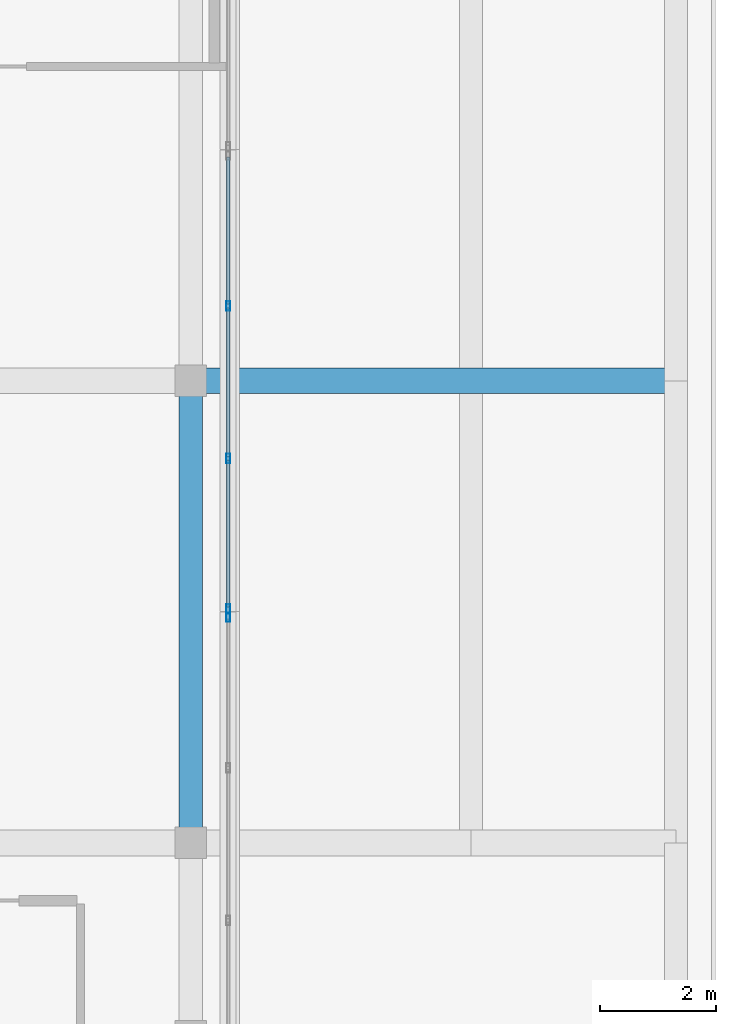
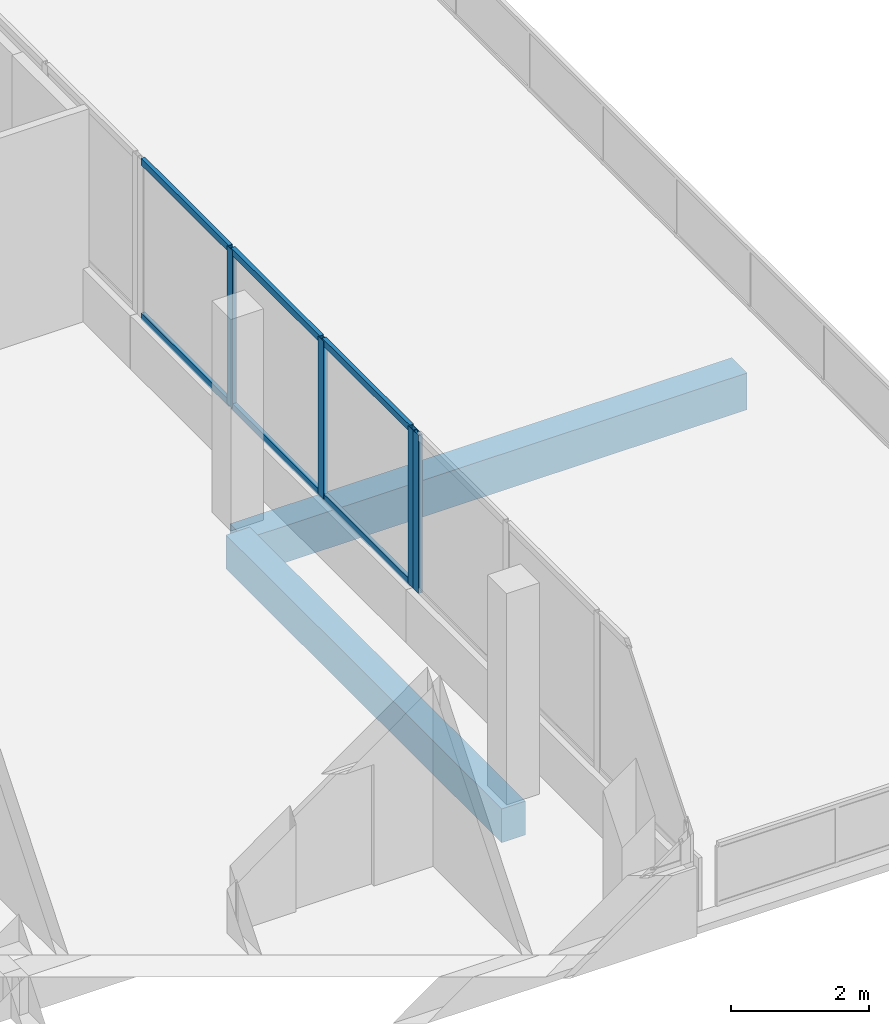
# One storey, part 46 of 67: 10 members, 2 beams, 2 elements without a shape of their own.
"""IFC4 building model written with IfcOpenShell, lengths in metres."""

from ifc_helpers import new_model, si_unit, direction, frame, origin, origin_2d, place, context, subcontext, project, spatial, rectangle, hollow_rectangle, extrude, material, material_profile, profile_set, type_object, element, aggregate, save


model = new_model("IFC4")

# Units and contexts
model_context = context("Model", 3, precision=1e-05, world=origin(), true_north=direction((0.0, 1.0)))
body_context = subcontext(model_context, "Body", "Model", "MODEL_VIEW")
ifc_project = project(units=[si_unit("LENGTHUNIT", "METRE"), si_unit("AREAUNIT", "SQUARE_METRE"), si_unit("VOLUMEUNIT", "CUBIC_METRE"), si_unit("PLANEANGLEUNIT", "RADIAN"), si_unit("MASSUNIT", "GRAM", prefix="KILO")], contexts=[model_context])

# Site, building, storey
site_placement = place(None, origin())
site = spatial("IfcSite", under=ifc_project, at=site_placement, CompositionType="ELEMENT")
building_placement = place(site_placement, origin())
building = spatial("IfcBuilding", under=site, at=building_placement, Name="Selatvlak General Hospital", CompositionType="ELEMENT")
storey_placement = place(building_placement, frame((0.0, 0.0, 35.39990234375)))
storey = spatial("IfcBuildingStorey", under=building, at=storey_placement, Name="L08", CompositionType="ELEMENT", Elevation=35.39990234375)

# Beams
ifc_material_1 = material(Name="Concrete C40/50", Category="concrete")
ifc_material_profile_1 = material_profile(ifc_material_1, rectangle(XDim=0.449951171875, YDim=0.64990234375, at=origin_2d()), Name="RC-BM 450x650")
ifc_profile_set_1 = profile_set([ifc_material_profile_1], Name="Concrete C40/50")
beam_type_1 = type_object("IfcBeamType", Name="BM-G04", PredefinedType="BEAM", material=ifc_profile_set_1)
beam_1_placement = place(storey_placement, frame((156.550048828125, 100.0, -0.596923828125), z_axis=(1.0, 0.0, 0.0), x_axis=(0.0, 1.0, 0.0)))
element("IfcBeam", 1, at=beam_1_placement, inside=storey, type_object=beam_type_1, Name="Beam BMR-L08-2602", PredefinedType="BEAM", context=body_context, shape_type="SweptSolid", body=[
    extrude(rectangle(XDim=0.449951171875, YDim=0.64990234375, at=origin_2d()), origin(), (0.0, 0.0, 1.0), 8.39990234375),
])
ifc_material_profile_2 = material_profile(ifc_material_1, rectangle(XDim=0.39990234375, YDim=0.60009765625, at=origin_2d()), Name="RC-BM 400x600")
ifc_profile_set_2 = profile_set([ifc_material_profile_2], Name="Concrete C40/50")
beam_type_2 = type_object("IfcBeamType", Name="BM-G05", PredefinedType="BEAM", material=ifc_profile_set_2)
beam_2_placement = place(storey_placement, frame((156.550048828125, 92.0, -0.56494140625), z_axis=(0.0, 1.0, 0.0), x_axis=(-1.0, 0.0, 0.0)))
element("IfcBeam", 2, at=beam_2_placement, inside=storey, type_object=beam_type_2, Name="Beam BMR-L08-2707", PredefinedType="BEAM", context=body_context, shape_type="SweptSolid", body=[
    extrude(rectangle(XDim=0.39990234375, YDim=0.60009765625, at=origin_2d()), origin(), (0.0, 0.0, 1.0), 8.0),
])

# Curtain wall, members
ifc_material_2 = material(Name="Solar-control Low-E double glazing", Category="glass")
curtain_wall_type_1 = type_object("IfcCurtainWallType", Name="CW-CW-02", PredefinedType="USERDEFINED", material=ifc_material_2)
curtain_wall_1_placement = place(storey_placement, origin())
curtain_wall_1 = element("IfcCurtainWall", 3, at=curtain_wall_1_placement, inside=storey, type_object=curtain_wall_type_1, Name="Glazed facade curtain wall CW-L08-0699", ObjectType="UNITISED CURTAIN WALL", PredefinedType="USERDEFINED")
ifc_material_3 = material(Name="Dark anodised aluminium mullion", Category="aluminium")
ifc_material_profile_3 = material_profile(ifc_material_3, hollow_rectangle(XDim=0.06494140625, YDim=0.159912109375, WallThickness=0.00390625, at=origin_2d()), Name="AL-MUL 65x160x4")
ifc_profile_set_3 = profile_set([ifc_material_profile_3], Name="Dark anodised aluminium mullion")
member_type_1 = type_object("IfcMemberType", Name="CWM-01", PredefinedType="MULLION", material=ifc_profile_set_3)
member_1_placement = place(storey_placement, frame((157.199951171875, 101.2958984375, 0.940185546875), z_axis=(0.0, 0.0, 1.0), x_axis=(1.0, 0.0, 0.0)))
member_1 = element("IfcMember", 4, at=member_1_placement, type_object=member_type_1, Name="CW-02 mullion 2", PredefinedType="MULLION", context=body_context, shape_type="SweptSolid", body=[
    extrude(hollow_rectangle(XDim=0.06494140625, YDim=0.159912109375, WallThickness=0.00390625, at=origin_2d()), origin(), (0.0, 0.0, 1.0), 2.7998046875),
])
member_2_placement = place(storey_placement, frame((157.199951171875, 98.656005859375, 0.940185546875), z_axis=(0.0, 0.0, 1.0), x_axis=(1.0, 0.0, 0.0)))
member_2 = element("IfcMember", 5, at=member_2_placement, type_object=member_type_1, Name="CW-02 mullion 3", PredefinedType="MULLION", context=body_context, shape_type="SweptSolid", body=[
    extrude(hollow_rectangle(XDim=0.06494140625, YDim=0.159912109375, WallThickness=0.00390625, at=origin_2d()), origin(), (0.0, 0.0, 1.0), 2.7998046875),
])
member_3_placement = place(storey_placement, frame((157.199951171875, 96.048583984375, 0.940185546875), z_axis=(0.0, 0.0, 1.0), x_axis=(1.0, 0.0, 0.0)))
member_3 = element("IfcMember", 6, at=member_3_placement, type_object=member_type_1, Name="CW-02 mullion 4", PredefinedType="MULLION", context=body_context, shape_type="SweptSolid", body=[
    extrude(hollow_rectangle(XDim=0.06494140625, YDim=0.159912109375, WallThickness=0.00390625, at=origin_2d()), origin(), (0.0, 0.0, 1.0), 2.7998046875),
])

# Curtain wall, member
curtain_wall_type_2 = type_object("IfcCurtainWallType", Name="CW-CW-01", PredefinedType="USERDEFINED", material=ifc_material_2)
curtain_wall_2_placement = place(storey_placement, origin())
curtain_wall_2 = element("IfcCurtainWall", 7, at=curtain_wall_2_placement, inside=storey, type_object=curtain_wall_type_2, Name="Glazed facade curtain wall CW-L08-0700", ObjectType="UNITISED CURTAIN WALL", PredefinedType="USERDEFINED")
member_4_placement = place(storey_placement, frame((157.199951171875, 95.903564453125, 0.940185546875), z_axis=(0.0, 0.0, 1.0), x_axis=(1.0, 0.0, 0.0)))
member_4 = element("IfcMember", 8, at=member_4_placement, type_object=member_type_1, Name="CW-01 mullion 1", PredefinedType="MULLION", context=body_context, shape_type="SweptSolid", body=[
    extrude(hollow_rectangle(XDim=0.06494140625, YDim=0.159912109375, WallThickness=0.00390625, at=origin_2d()), origin(), (0.0, 0.0, 1.0), 2.7998046875),
])
aggregate(curtain_wall_2, [member_4])

# Member
ifc_material_profile_4 = material_profile(ifc_material_3, hollow_rectangle(XDim=0.06494140625, YDim=0.1201171875, WallThickness=0.00390625, at=origin_2d()), Name="AL-TRN 65x120x4")
ifc_profile_set_4 = profile_set([ifc_material_profile_4], Name="Dark anodised aluminium mullion")
member_type_2 = type_object("IfcMemberType", Name="CWT-01", PredefinedType="USERDEFINED", material=ifc_profile_set_4)
member_5_placement = place(storey_placement, frame((157.199951171875, 103.87109375, 0.97265625), z_axis=(0.0, -1.0, 0.0), x_axis=(1.0, 0.0, 0.0)))
member_5 = element("IfcMember", 9, at=member_5_placement, type_object=member_type_2, Name="CW-02 transom 1.1", ObjectType="TRANSOM", PredefinedType="USERDEFINED", context=body_context, shape_type="SweptSolid", body=[
    extrude(hollow_rectangle(XDim=0.06494140625, YDim=0.1201171875, WallThickness=0.00390625, at=origin_2d()), origin(), (0.0, 0.0, 1.0), 2.54248046875),
])

member_6_placement = place(storey_placement, frame((157.199951171875, 103.87109375, 3.70751953125), z_axis=(0.0, -1.0, 0.0), x_axis=(1.0, 0.0, 0.0)))
member_6 = element("IfcMember", 10, at=member_6_placement, type_object=member_type_2, Name="CW-02 transom 1.2", ObjectType="TRANSOM", PredefinedType="USERDEFINED", context=body_context, shape_type="SweptSolid", body=[
    extrude(hollow_rectangle(XDim=0.06494140625, YDim=0.1201171875, WallThickness=0.00390625, at=origin_2d()), origin(), (0.0, 0.0, 1.0), 2.54248046875),
])

member_7_placement = place(storey_placement, frame((157.199951171875, 101.263427734375, 0.97265625), z_axis=(0.0, -1.0, 0.0), x_axis=(1.0, 0.0, 0.0)))
member_7 = element("IfcMember", 11, at=member_7_placement, type_object=member_type_2, Name="CW-02 transom 2.1", ObjectType="TRANSOM", PredefinedType="USERDEFINED", context=body_context, shape_type="SweptSolid", body=[
    extrude(hollow_rectangle(XDim=0.06494140625, YDim=0.1201171875, WallThickness=0.00390625, at=origin_2d()), origin(), (0.0, 0.0, 1.0), 2.574951171875),
])

member_8_placement = place(storey_placement, frame((157.199951171875, 101.263427734375, 3.70751953125), z_axis=(0.0, -1.0, 0.0), x_axis=(1.0, 0.0, 0.0)))
member_8 = element("IfcMember", 12, at=member_8_placement, type_object=member_type_2, Name="CW-02 transom 2.2", ObjectType="TRANSOM", PredefinedType="USERDEFINED", context=body_context, shape_type="SweptSolid", body=[
    extrude(hollow_rectangle(XDim=0.06494140625, YDim=0.1201171875, WallThickness=0.00390625, at=origin_2d()), origin(), (0.0, 0.0, 1.0), 2.574951171875),
])

member_9_placement = place(storey_placement, frame((157.199951171875, 98.62353515625, 0.97265625), z_axis=(0.0, -1.0, 0.0), x_axis=(1.0, 0.0, 0.0)))
member_9 = element("IfcMember", 13, at=member_9_placement, type_object=member_type_2, Name="CW-02 transom 3.1", ObjectType="TRANSOM", PredefinedType="USERDEFINED", context=body_context, shape_type="SweptSolid", body=[
    extrude(hollow_rectangle(XDim=0.06494140625, YDim=0.1201171875, WallThickness=0.00390625, at=origin_2d()), origin(), (0.0, 0.0, 1.0), 2.54248046875),
])

member_10_placement = place(storey_placement, frame((157.199951171875, 98.62353515625, 3.70751953125), z_axis=(0.0, -1.0, 0.0), x_axis=(1.0, 0.0, 0.0)))
member_10 = element("IfcMember", 14, at=member_10_placement, type_object=member_type_2, Name="CW-02 transom 3.2", ObjectType="TRANSOM", PredefinedType="USERDEFINED", context=body_context, shape_type="SweptSolid", body=[
    extrude(hollow_rectangle(XDim=0.06494140625, YDim=0.1201171875, WallThickness=0.00390625, at=origin_2d()), origin(), (0.0, 0.0, 1.0), 2.54248046875),
])

aggregate(curtain_wall_1, [member_1, member_2, member_3, member_5, member_6, member_7, member_8, member_9, member_10])

save(model, "model.ifc")
